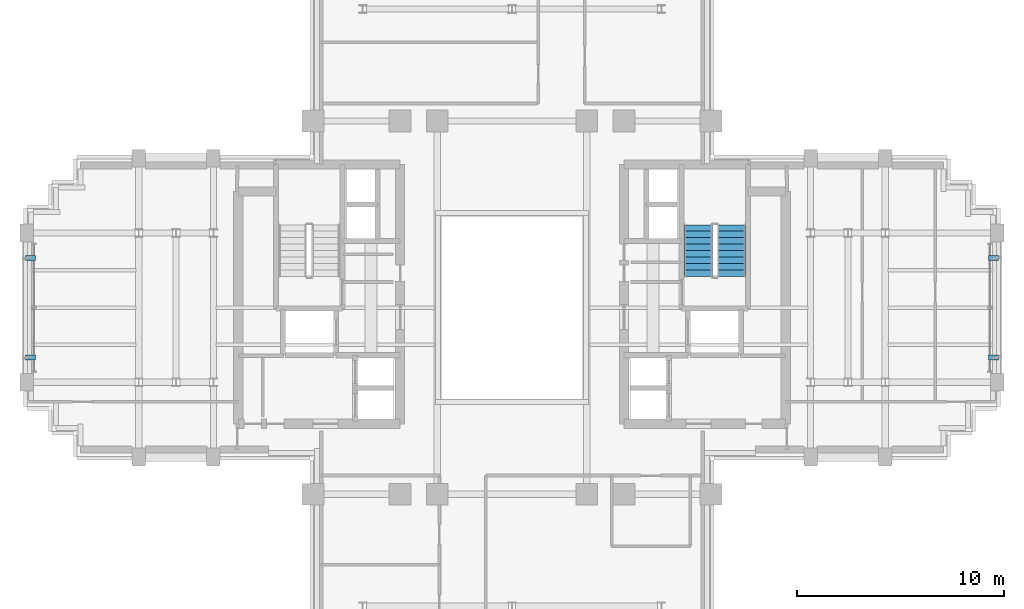
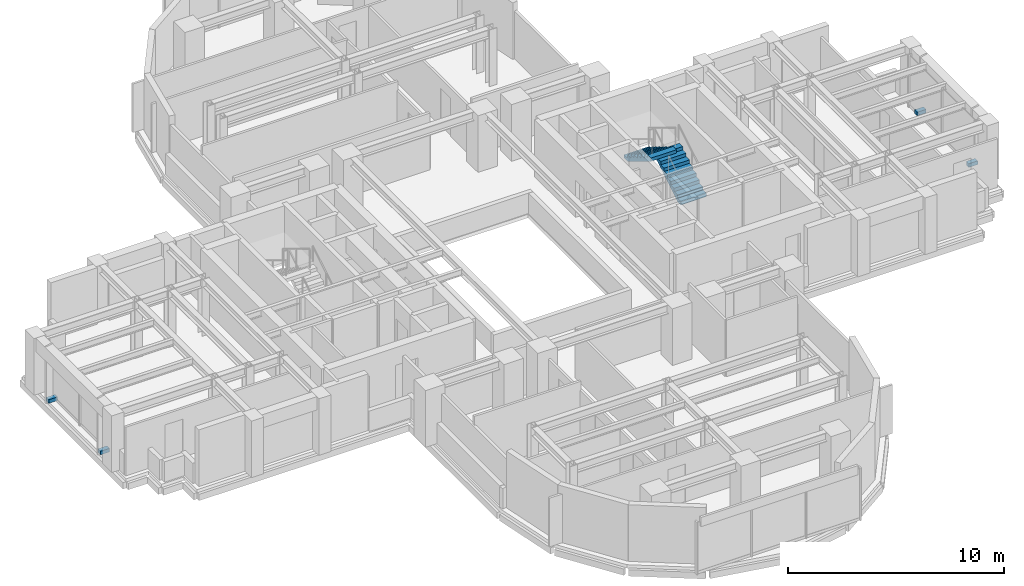
# One storey, part 11 of 14: 4 discrete accessories, 2 stair flights, 1 element without a shape of its own.
"""IFC4 building model written with IfcOpenShell, lengths in metres."""

from ifc_helpers import new_model, si_unit, direction, frame, origin, origin_2d, place, context, subcontext, project, spatial, polyline, rectangle, outline, extrude, source, transform, mapped, material, type_object, element, aggregate, save


model = new_model("IFC4")

# Units and contexts
model_context = context("Model", 3, precision=1e-05, world=origin(), true_north=direction((0.0, 1.0)))
body_context = subcontext(model_context, "Body", "Model", "MODEL_VIEW")
ifc_project = project(units=[si_unit("LENGTHUNIT", "METRE"), si_unit("AREAUNIT", "SQUARE_METRE"), si_unit("VOLUMEUNIT", "CUBIC_METRE"), si_unit("PLANEANGLEUNIT", "RADIAN"), si_unit("MASSUNIT", "GRAM", prefix="KILO")], contexts=[model_context])

# Site, building, storey
site_placement = place(None, origin())
site = spatial("IfcSite", under=ifc_project, at=site_placement, CompositionType="ELEMENT")
building_placement = place(site_placement, origin())
building = spatial("IfcBuilding", under=site, at=building_placement, Name="Keilestroom Media Tower", CompositionType="ELEMENT")
storey_placement = place(building_placement, frame((0.0, 0.0, 127.800048828125)))
storey = spatial("IfcBuildingStorey", under=building, at=storey_placement, Name="L34", CompositionType="ELEMENT", Elevation=127.800048828125)

# Stair, stair flights
ifc_material_1 = material(Name="Concrete C45/55", Category="concrete")
stair_type = type_object("IfcStairType", Name="Enclosed-Dog-Leg-Stair-ST-CORE", PredefinedType="HALF_TURN_STAIR", material=ifc_material_1)
stair_placement = place(storey_placement, origin())
stair = element("IfcStair", 1, at=stair_placement, inside=storey, type_object=stair_type, Name="L34 East Core Escape Stair ST-2", PredefinedType="HALF_TURN_STAIR")
ifc_material_2 = material(Name="Precast concrete C40/50", Category="concrete")
stair_flight_type = type_object("IfcStairFlightType", Name="Precast-Concrete-Stair-Flight-Core-160", PredefinedType="STRAIGHT", material=ifc_material_2)
stair_flight_1_placement = place(storey_placement, frame((10.580078125, 1.5, 0.0), z_axis=(0.0, 0.0, 1.0), x_axis=(0.0, 1.0, 0.0)))
stair_flight_1 = element("IfcStairFlight", 2, at=stair_flight_1_placement, type_object=stair_flight_type, Name="ST-2 flight 1", NumberOfRisers=9, NumberOfTreads=8, PredefinedType="STRAIGHT", RiserHeight=0.188888889, TreadLength=0.312, context=body_context, shape_type="SweptSolid", body=[
    extrude(outline(polyline([(0.0, 0.0), (0.0, 0.18896484375), (0.31201171875, 0.18896484375), (0.31201171875, 0.377685546875), (0.6240234375, 0.377685546875), (0.6240234375, 0.566650390625), (0.93603515625, 0.566650390625), (0.93603515625, 0.755615234375), (1.248046875, 0.755615234375), (1.248046875, 0.9443359375), (1.56005859375, 0.9443359375), (1.56005859375, 1.13330078125), (1.8720703125, 1.13330078125), (1.8720703125, 1.322265625), (2.18408203125, 1.322265625), (2.18408203125, 1.51123046875), (2.49609375, 1.51123046875), (2.49609375, 1.699951171875), (2.49609375, 1.32421875), (0.308837890625, 0.0), (0.0, 0.0)])), frame((0.0, 0.68017578125, 0.0), z_axis=(0.0, -1.0, 0.0), x_axis=(1.0, 0.0, 0.0)), (0.0, 0.0, 1.0), 1.360107421875),
])
stair_flight_2_placement = place(storey_placement, frame((8.97998046875, 3.99609375, 1.699951171875), z_axis=(0.0, 0.0, 1.0), x_axis=(0.0, -1.0, 0.0)))
stair_flight_2 = element("IfcStairFlight", 3, at=stair_flight_2_placement, type_object=stair_flight_type, Name="ST-2 flight 2", NumberOfRisers=9, NumberOfTreads=8, PredefinedType="STRAIGHT", RiserHeight=0.188888889, TreadLength=0.312, context=body_context, shape_type="SweptSolid", body=[
    extrude(outline(polyline([(0.0, 0.0), (0.0, 0.18896484375), (0.31201171875, 0.18896484375), (0.31201171875, 0.377685546875), (0.6240234375, 0.377685546875), (0.6240234375, 0.566650390625), (0.93603515625, 0.566650390625), (0.93603515625, 0.755615234375), (1.248046875, 0.755615234375), (1.248046875, 0.9443359375), (1.56005859375, 0.9443359375), (1.56005859375, 1.13330078125), (1.8720703125, 1.13330078125), (1.8720703125, 1.322265625), (2.18408203125, 1.322265625), (2.18408203125, 1.51123046875), (2.49609375, 1.51123046875), (2.49609375, 1.699951171875), (2.49609375, 1.32421875), (0.308837890625, 0.0), (0.0, 0.0)])), frame((0.0, 0.68017578125, 0.0), z_axis=(0.0, -1.0, 0.0), x_axis=(1.0, 0.0, 0.0)), (0.0, 0.0, 1.0), 1.360107421875),
])
aggregate(stair, [stair_flight_1, stair_flight_2])

# Discrete accessories
ifc_material_3 = material(Name="Stainless Steel 1.4401", Category="steel")
discrete_accessory_type = type_object("IfcDiscreteAccessoryType", Name="Facade-Fin-Fixing-Bracket-BRK-1", PredefinedType="BRACKET", material=ifc_material_3)
shared_shape = source(origin(), body_context, "Body", "SweptSolid", [
    extrude(rectangle(XDim=0.47998046875, YDim=0.239990234375, at=origin_2d()), origin(), (0.0, 0.0, 1.0), 0.199951171875),
])
for number, where, z_axis, x_axis, name in (
    (4, (-23.2099609375, -2.39990234375, -0.01025390625), (0.0, 0.0, 1.0), (1.0, 0.0, 0.0), "L34 Sunshade Fin Bracket BRK-1 041"),
    (5, (-23.2099609375, 2.39990234375, -0.01025390625), (0.0, 0.0, 1.0), (1.0, 0.0, 0.0), "L34 Sunshade Fin Bracket BRK-1 042"),
    (6, (23.2099609375, -2.39990234375, -0.01025390625), (0.0, 0.0, 1.0), (1.0, 0.0, 0.0), "L34 Sunshade Fin Bracket BRK-1 043"),
    (7, (23.2099609375, 2.39990234375, -0.01025390625), (0.0, 0.0, 1.0), (1.0, 0.0, 0.0), "L34 Sunshade Fin Bracket BRK-1 044"),
):
    element("IfcDiscreteAccessory", number, at=place(storey_placement, frame(where, z_axis=z_axis, x_axis=x_axis)), inside=storey, type_object=discrete_accessory_type, Name=name, PredefinedType="BRACKET", context=body_context, shape_type="MappedRepresentation", body=[
        mapped(shared_shape, transform((0.0, 0.0, 0.0), x_axis=(1.0, 0.0, 0.0), y_axis=(0.0, 1.0, 0.0), z_axis=(0.0, 0.0, 1.0), scale=1.0)),
    ])

save(model, "model.ifc")
